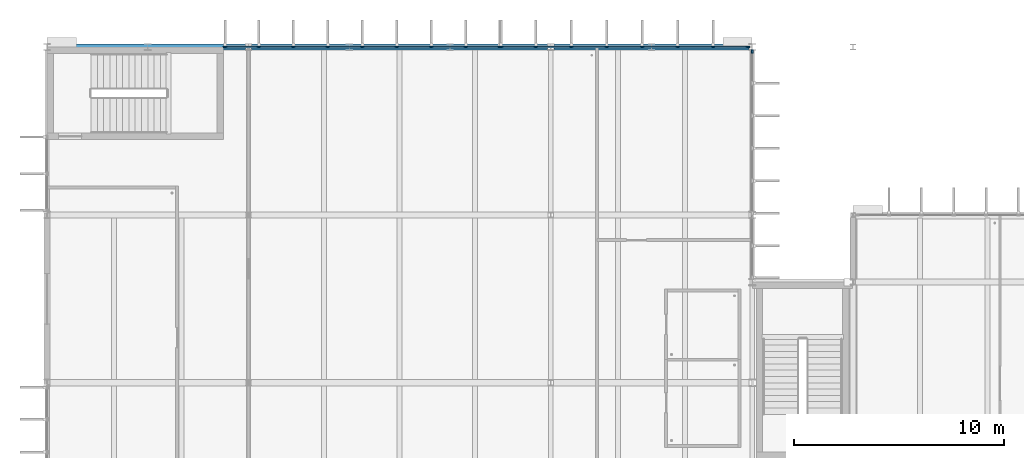
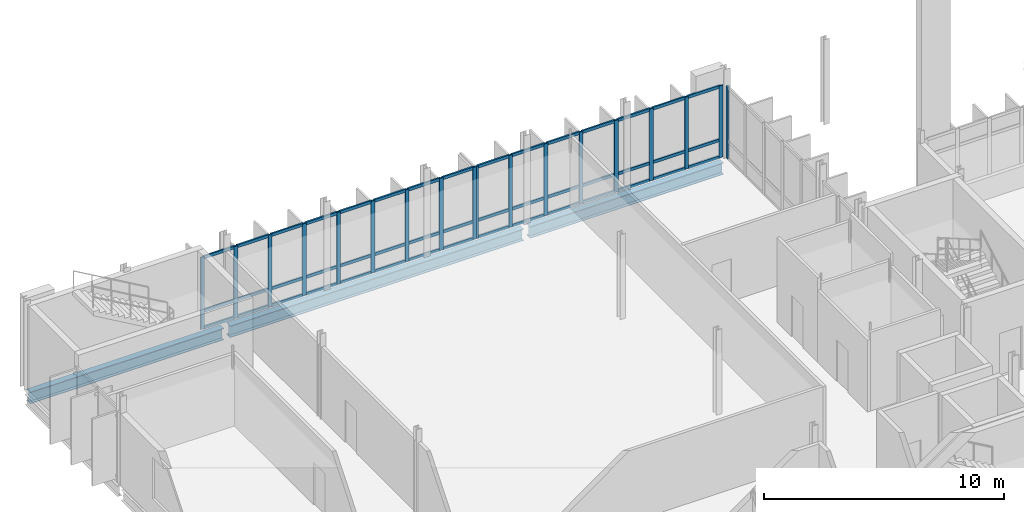
# One storey, part 14 of 41: 63 members, 3 beams, 3 elements without a shape of their own.
"""IFC4 building model written with IfcOpenShell, lengths in metres."""

from ifc_helpers import new_model, si_unit, direction, frame, origin, origin_2d, place, context, subcontext, project, spatial, rectangle, i_section, extrude, material, material_profile, profile_set, type_object, element, aggregate, save


model = new_model("IFC4")

# Units and contexts
model_context = context("Model", 3, precision=1e-05, world=origin(), true_north=direction((0.0, 1.0)))
body_context = subcontext(model_context, "Body", "Model", "MODEL_VIEW")
ifc_project = project(units=[si_unit("LENGTHUNIT", "METRE"), si_unit("AREAUNIT", "SQUARE_METRE"), si_unit("VOLUMEUNIT", "CUBIC_METRE"), si_unit("PLANEANGLEUNIT", "RADIAN"), si_unit("MASSUNIT", "GRAM", prefix="KILO")], contexts=[model_context])

# Site, building, storey
site_placement = place(None, origin())
site = spatial("IfcSite", under=ifc_project, at=site_placement, CompositionType="ELEMENT")
building_placement = place(site_placement, origin())
building = spatial("IfcBuilding", under=site, at=building_placement, Name="Dunescarp Central Library", CompositionType="ELEMENT")
storey_placement = place(building_placement, frame((0.0, 0.0, 23.10009765625)))
storey = spatial("IfcBuildingStorey", under=building, at=storey_placement, Name="L05", CompositionType="ELEMENT", Elevation=23.10009765625)

# Curtain wall, members
ifc_material_1 = material(Name="Marine-grade anodised aluminium 6063-T6", Category="aluminium")
curtain_wall_type = type_object("IfcCurtainWallType", Name="ARC-CW-STICK", PredefinedType="NOTDEFINED", material=ifc_material_1)
curtain_wall_1_placement = place(storey_placement, origin())
curtain_wall_1 = element("IfcCurtainWall", 1, at=curtain_wall_1_placement, inside=storey, type_object=curtain_wall_type, Name="L05 curtain wall CW-V1-033", PredefinedType="NOTDEFINED")
ifc_material_profile_1 = material_profile(ifc_material_1, rectangle(XDim=0.080078125, YDim=0.179931640625, at=origin_2d()), Name="AL 80x180")
ifc_profile_set_1 = profile_set([ifc_material_profile_1], Name="Marine-grade anodised aluminium 6063-T6")
member_type_1 = type_object("IfcMemberType", Name="ARC-CWM-180", PredefinedType="MULLION", material=ifc_profile_set_1)
member_1_placement = place(storey_placement, frame((21.639892578125, 36.800048828125, 0.0), z_axis=(0.0, 0.0, 1.0), x_axis=(0.0, 1.0, 0.0)))
member_1 = element("IfcMember", 2, at=member_1_placement, type_object=member_type_1, Name="CW-V1-033 mullion 1", PredefinedType="MULLION", context=body_context, shape_type="SweptSolid", body=[
    extrude(rectangle(XDim=0.080078125, YDim=0.179931640625, at=origin_2d()), origin(), (0.0, 0.0, 1.0), 3.65283203125),
])
member_2_placement = place(storey_placement, frame((23.289306640625, 36.800048828125, 0.0), z_axis=(0.0, 0.0, 1.0), x_axis=(0.0, 1.0, 0.0)))
member_2 = element("IfcMember", 3, at=member_2_placement, type_object=member_type_1, Name="CW-V1-033 mullion 2", PredefinedType="MULLION", context=body_context, shape_type="SweptSolid", body=[
    extrude(rectangle(XDim=0.080078125, YDim=0.179931640625, at=origin_2d()), origin(), (0.0, 0.0, 1.0), 3.65283203125),
])
member_3_placement = place(storey_placement, frame((24.978515625, 36.800048828125, 0.0), z_axis=(0.0, 0.0, 1.0), x_axis=(0.0, 1.0, 0.0)))
member_3 = element("IfcMember", 4, at=member_3_placement, type_object=member_type_1, Name="CW-V1-033 mullion 3", PredefinedType="MULLION", context=body_context, shape_type="SweptSolid", body=[
    extrude(rectangle(XDim=0.080078125, YDim=0.179931640625, at=origin_2d()), origin(), (0.0, 0.0, 1.0), 3.65283203125),
])
member_4_placement = place(storey_placement, frame((26.66796875, 36.800048828125, 0.0), z_axis=(0.0, 0.0, 1.0), x_axis=(0.0, 1.0, 0.0)))
member_4 = element("IfcMember", 5, at=member_4_placement, type_object=member_type_1, Name="CW-V1-033 mullion 4", PredefinedType="MULLION", context=body_context, shape_type="SweptSolid", body=[
    extrude(rectangle(XDim=0.080078125, YDim=0.179931640625, at=origin_2d()), origin(), (0.0, 0.0, 1.0), 3.65283203125),
])
member_5_placement = place(storey_placement, frame((28.357177734375, 36.800048828125, 0.0), z_axis=(0.0, 0.0, 1.0), x_axis=(0.0, 1.0, 0.0)))
member_5 = element("IfcMember", 6, at=member_5_placement, type_object=member_type_1, Name="CW-V1-033 mullion 5", PredefinedType="MULLION", context=body_context, shape_type="SweptSolid", body=[
    extrude(rectangle(XDim=0.080078125, YDim=0.179931640625, at=origin_2d()), origin(), (0.0, 0.0, 1.0), 3.65283203125),
])
member_6_placement = place(storey_placement, frame((30.04638671875, 36.800048828125, 0.0), z_axis=(0.0, 0.0, 1.0), x_axis=(0.0, 1.0, 0.0)))
member_6 = element("IfcMember", 7, at=member_6_placement, type_object=member_type_1, Name="CW-V1-033 mullion 6", PredefinedType="MULLION", context=body_context, shape_type="SweptSolid", body=[
    extrude(rectangle(XDim=0.080078125, YDim=0.179931640625, at=origin_2d()), origin(), (0.0, 0.0, 1.0), 3.65283203125),
])
member_7_placement = place(storey_placement, frame((31.735595703125, 36.800048828125, 0.0), z_axis=(0.0, 0.0, 1.0), x_axis=(0.0, 1.0, 0.0)))
member_7 = element("IfcMember", 8, at=member_7_placement, type_object=member_type_1, Name="CW-V1-033 mullion 7", PredefinedType="MULLION", context=body_context, shape_type="SweptSolid", body=[
    extrude(rectangle(XDim=0.080078125, YDim=0.179931640625, at=origin_2d()), origin(), (0.0, 0.0, 1.0), 3.65283203125),
])
member_8_placement = place(storey_placement, frame((33.385009765625, 36.800048828125, 0.0), z_axis=(0.0, 0.0, 1.0), x_axis=(0.0, 1.0, 0.0)))
member_8 = element("IfcMember", 9, at=member_8_placement, type_object=member_type_1, Name="CW-V1-033 mullion 8", PredefinedType="MULLION", context=body_context, shape_type="SweptSolid", body=[
    extrude(rectangle(XDim=0.080078125, YDim=0.179931640625, at=origin_2d()), origin(), (0.0, 0.0, 1.0), 3.65283203125),
])

curtain_wall_2_placement = place(storey_placement, origin())
curtain_wall_2 = element("IfcCurtainWall", 10, at=curtain_wall_2_placement, inside=storey, type_object=curtain_wall_type, Name="L05 curtain wall CW-V1-034", PredefinedType="NOTDEFINED")
member_9_placement = place(storey_placement, frame((8.489990234375, 36.800048828125, 0.0), z_axis=(0.0, 0.0, 1.0), x_axis=(0.0, 1.0, 0.0)))
member_9 = element("IfcMember", 11, at=member_9_placement, type_object=member_type_1, Name="CW-V1-034 mullion 1", PredefinedType="MULLION", context=body_context, shape_type="SweptSolid", body=[
    extrude(rectangle(XDim=0.080078125, YDim=0.179931640625, at=origin_2d()), origin(), (0.0, 0.0, 1.0), 3.65283203125),
])
member_10_placement = place(storey_placement, frame((10.09375, 36.800048828125, 0.0), z_axis=(0.0, 0.0, 1.0), x_axis=(0.0, 1.0, 0.0)))
member_10 = element("IfcMember", 12, at=member_10_placement, type_object=member_type_1, Name="CW-V1-034 mullion 2", PredefinedType="MULLION", context=body_context, shape_type="SweptSolid", body=[
    extrude(rectangle(XDim=0.080078125, YDim=0.179931640625, at=origin_2d()), origin(), (0.0, 0.0, 1.0), 3.65283203125),
])
member_11_placement = place(storey_placement, frame((11.737548828125, 36.800048828125, 0.0), z_axis=(0.0, 0.0, 1.0), x_axis=(0.0, 1.0, 0.0)))
member_11 = element("IfcMember", 13, at=member_11_placement, type_object=member_type_1, Name="CW-V1-034 mullion 3", PredefinedType="MULLION", context=body_context, shape_type="SweptSolid", body=[
    extrude(rectangle(XDim=0.080078125, YDim=0.179931640625, at=origin_2d()), origin(), (0.0, 0.0, 1.0), 3.65283203125),
])
member_12_placement = place(storey_placement, frame((13.38134765625, 36.800048828125, 0.0), z_axis=(0.0, 0.0, 1.0), x_axis=(0.0, 1.0, 0.0)))
member_12 = element("IfcMember", 14, at=member_12_placement, type_object=member_type_1, Name="CW-V1-034 mullion 4", PredefinedType="MULLION", context=body_context, shape_type="SweptSolid", body=[
    extrude(rectangle(XDim=0.080078125, YDim=0.179931640625, at=origin_2d()), origin(), (0.0, 0.0, 1.0), 3.65283203125),
])
member_13_placement = place(storey_placement, frame((15.02490234375, 36.800048828125, 0.0), z_axis=(0.0, 0.0, 1.0), x_axis=(0.0, 1.0, 0.0)))
member_13 = element("IfcMember", 15, at=member_13_placement, type_object=member_type_1, Name="CW-V1-034 mullion 5", PredefinedType="MULLION", context=body_context, shape_type="SweptSolid", body=[
    extrude(rectangle(XDim=0.080078125, YDim=0.179931640625, at=origin_2d()), origin(), (0.0, 0.0, 1.0), 3.65283203125),
])
member_14_placement = place(storey_placement, frame((16.668701171875, 36.800048828125, 0.0), z_axis=(0.0, 0.0, 1.0), x_axis=(0.0, 1.0, 0.0)))
member_14 = element("IfcMember", 16, at=member_14_placement, type_object=member_type_1, Name="CW-V1-034 mullion 6", PredefinedType="MULLION", context=body_context, shape_type="SweptSolid", body=[
    extrude(rectangle(XDim=0.080078125, YDim=0.179931640625, at=origin_2d()), origin(), (0.0, 0.0, 1.0), 3.65283203125),
])
member_15_placement = place(storey_placement, frame((18.3125, 36.800048828125, 0.0), z_axis=(0.0, 0.0, 1.0), x_axis=(0.0, 1.0, 0.0)))
member_15 = element("IfcMember", 17, at=member_15_placement, type_object=member_type_1, Name="CW-V1-034 mullion 7", PredefinedType="MULLION", context=body_context, shape_type="SweptSolid", body=[
    extrude(rectangle(XDim=0.080078125, YDim=0.179931640625, at=origin_2d()), origin(), (0.0, 0.0, 1.0), 3.65283203125),
])
member_16_placement = place(storey_placement, frame((19.956298828125, 36.800048828125, 0.0), z_axis=(0.0, 0.0, 1.0), x_axis=(0.0, 1.0, 0.0)))
member_16 = element("IfcMember", 18, at=member_16_placement, type_object=member_type_1, Name="CW-V1-034 mullion 8", PredefinedType="MULLION", context=body_context, shape_type="SweptSolid", body=[
    extrude(rectangle(XDim=0.080078125, YDim=0.179931640625, at=origin_2d()), origin(), (0.0, 0.0, 1.0), 3.65283203125),
])
member_17_placement = place(storey_placement, frame((21.56005859375, 36.800048828125, 0.0), z_axis=(0.0, 0.0, 1.0), x_axis=(0.0, 1.0, 0.0)))
member_17 = element("IfcMember", 19, at=member_17_placement, type_object=member_type_1, Name="CW-V1-034 mullion 9", PredefinedType="MULLION", context=body_context, shape_type="SweptSolid", body=[
    extrude(rectangle(XDim=0.080078125, YDim=0.179931640625, at=origin_2d()), origin(), (0.0, 0.0, 1.0), 3.65283203125),
])

# Curtain wall, member
curtain_wall_3_placement = place(storey_placement, origin())
curtain_wall_3 = element("IfcCurtainWall", 20, at=curtain_wall_3_placement, inside=storey, type_object=curtain_wall_type, Name="L05 curtain wall CW-V1-037", PredefinedType="NOTDEFINED")
member_18_placement = place(storey_placement, frame((33.60009765625, 36.5849609375, 0.0), z_axis=(0.0, 0.0, 1.0), x_axis=(1.0, 0.0, 0.0)))
member_18 = element("IfcMember", 21, at=member_18_placement, type_object=member_type_1, Name="CW-V1-037 mullion 1", PredefinedType="MULLION", context=body_context, shape_type="SweptSolid", body=[
    extrude(rectangle(XDim=0.080078125, YDim=0.179931640625, at=origin_2d()), origin(), (0.0, 0.0, 1.0), 3.65283203125),
])
aggregate(curtain_wall_3, [member_18])

# Member
ifc_material_profile_2 = material_profile(ifc_material_1, rectangle(XDim=0.080078125, YDim=0.14990234375, at=origin_2d()), Name="AL 80x150")
ifc_profile_set_2 = profile_set([ifc_material_profile_2], Name="Marine-grade anodised aluminium 6063-T6")
member_type_2 = type_object("IfcMemberType", Name="ARC-CWT-150", PredefinedType="USERDEFINED", material=ifc_profile_set_2)
member_19_placement = place(storey_placement, frame((21.679931640625, 36.800048828125, 0.039794921875), z_axis=(1.0, 0.0, 0.0), x_axis=(0.0, 1.0, 0.0)))
member_19 = element("IfcMember", 22, at=member_19_placement, type_object=member_type_2, Name="CW-V1-033 transom 1.1", ObjectType="TRANSOM", PredefinedType="USERDEFINED", context=body_context, shape_type="SweptSolid", body=[
    extrude(rectangle(XDim=0.080078125, YDim=0.14990234375, at=origin_2d()), origin(), (0.0, 0.0, 1.0), 1.5693359375),
])

member_20_placement = place(storey_placement, frame((21.679931640625, 36.800048828125, 0.89990234375), z_axis=(1.0, 0.0, 0.0), x_axis=(0.0, 1.0, 0.0)))
member_20 = element("IfcMember", 23, at=member_20_placement, type_object=member_type_2, Name="CW-V1-033 transom 1.2", ObjectType="TRANSOM", PredefinedType="USERDEFINED", context=body_context, shape_type="SweptSolid", body=[
    extrude(rectangle(XDim=0.080078125, YDim=0.14990234375, at=origin_2d()), origin(), (0.0, 0.0, 1.0), 1.5693359375),
])

member_21_placement = place(storey_placement, frame((21.679931640625, 36.800048828125, 3.61279296875), z_axis=(1.0, 0.0, 0.0), x_axis=(0.0, 1.0, 0.0)))
member_21 = element("IfcMember", 24, at=member_21_placement, type_object=member_type_2, Name="CW-V1-033 transom 1.3", ObjectType="TRANSOM", PredefinedType="USERDEFINED", context=body_context, shape_type="SweptSolid", body=[
    extrude(rectangle(XDim=0.080078125, YDim=0.14990234375, at=origin_2d()), origin(), (0.0, 0.0, 1.0), 1.5693359375),
])

member_22_placement = place(storey_placement, frame((23.329345703125, 36.800048828125, 0.039794921875), z_axis=(1.0, 0.0, 0.0), x_axis=(0.0, 1.0, 0.0)))
member_22 = element("IfcMember", 25, at=member_22_placement, type_object=member_type_2, Name="CW-V1-033 transom 2.1", ObjectType="TRANSOM", PredefinedType="USERDEFINED", context=body_context, shape_type="SweptSolid", body=[
    extrude(rectangle(XDim=0.080078125, YDim=0.14990234375, at=origin_2d()), origin(), (0.0, 0.0, 1.0), 1.609130859375),
])

member_23_placement = place(storey_placement, frame((23.329345703125, 36.800048828125, 0.89990234375), z_axis=(1.0, 0.0, 0.0), x_axis=(0.0, 1.0, 0.0)))
member_23 = element("IfcMember", 26, at=member_23_placement, type_object=member_type_2, Name="CW-V1-033 transom 2.2", ObjectType="TRANSOM", PredefinedType="USERDEFINED", context=body_context, shape_type="SweptSolid", body=[
    extrude(rectangle(XDim=0.080078125, YDim=0.14990234375, at=origin_2d()), origin(), (0.0, 0.0, 1.0), 1.609130859375),
])

member_24_placement = place(storey_placement, frame((23.329345703125, 36.800048828125, 3.61279296875), z_axis=(1.0, 0.0, 0.0), x_axis=(0.0, 1.0, 0.0)))
member_24 = element("IfcMember", 27, at=member_24_placement, type_object=member_type_2, Name="CW-V1-033 transom 2.3", ObjectType="TRANSOM", PredefinedType="USERDEFINED", context=body_context, shape_type="SweptSolid", body=[
    extrude(rectangle(XDim=0.080078125, YDim=0.14990234375, at=origin_2d()), origin(), (0.0, 0.0, 1.0), 1.609130859375),
])

member_25_placement = place(storey_placement, frame((25.0185546875, 36.800048828125, 0.039794921875), z_axis=(1.0, 0.0, 0.0), x_axis=(0.0, 1.0, 0.0)))
member_25 = element("IfcMember", 28, at=member_25_placement, type_object=member_type_2, Name="CW-V1-033 transom 3.1", ObjectType="TRANSOM", PredefinedType="USERDEFINED", context=body_context, shape_type="SweptSolid", body=[
    extrude(rectangle(XDim=0.080078125, YDim=0.14990234375, at=origin_2d()), origin(), (0.0, 0.0, 1.0), 1.609375),
])

member_26_placement = place(storey_placement, frame((25.0185546875, 36.800048828125, 0.89990234375), z_axis=(1.0, 0.0, 0.0), x_axis=(0.0, 1.0, 0.0)))
member_26 = element("IfcMember", 29, at=member_26_placement, type_object=member_type_2, Name="CW-V1-033 transom 3.2", ObjectType="TRANSOM", PredefinedType="USERDEFINED", context=body_context, shape_type="SweptSolid", body=[
    extrude(rectangle(XDim=0.080078125, YDim=0.14990234375, at=origin_2d()), origin(), (0.0, 0.0, 1.0), 1.609375),
])

member_27_placement = place(storey_placement, frame((25.0185546875, 36.800048828125, 3.61279296875), z_axis=(1.0, 0.0, 0.0), x_axis=(0.0, 1.0, 0.0)))
member_27 = element("IfcMember", 30, at=member_27_placement, type_object=member_type_2, Name="CW-V1-033 transom 3.3", ObjectType="TRANSOM", PredefinedType="USERDEFINED", context=body_context, shape_type="SweptSolid", body=[
    extrude(rectangle(XDim=0.080078125, YDim=0.14990234375, at=origin_2d()), origin(), (0.0, 0.0, 1.0), 1.609375),
])

member_28_placement = place(storey_placement, frame((26.707763671875, 36.800048828125, 0.039794921875), z_axis=(1.0, 0.0, 0.0), x_axis=(0.0, 1.0, 0.0)))
member_28 = element("IfcMember", 31, at=member_28_placement, type_object=member_type_2, Name="CW-V1-033 transom 4.1", ObjectType="TRANSOM", PredefinedType="USERDEFINED", context=body_context, shape_type="SweptSolid", body=[
    extrude(rectangle(XDim=0.080078125, YDim=0.14990234375, at=origin_2d()), origin(), (0.0, 0.0, 1.0), 1.609375),
])

member_29_placement = place(storey_placement, frame((26.707763671875, 36.800048828125, 0.89990234375), z_axis=(1.0, 0.0, 0.0), x_axis=(0.0, 1.0, 0.0)))
member_29 = element("IfcMember", 32, at=member_29_placement, type_object=member_type_2, Name="CW-V1-033 transom 4.2", ObjectType="TRANSOM", PredefinedType="USERDEFINED", context=body_context, shape_type="SweptSolid", body=[
    extrude(rectangle(XDim=0.080078125, YDim=0.14990234375, at=origin_2d()), origin(), (0.0, 0.0, 1.0), 1.609375),
])

member_30_placement = place(storey_placement, frame((26.707763671875, 36.800048828125, 3.61279296875), z_axis=(1.0, 0.0, 0.0), x_axis=(0.0, 1.0, 0.0)))
member_30 = element("IfcMember", 33, at=member_30_placement, type_object=member_type_2, Name="CW-V1-033 transom 4.3", ObjectType="TRANSOM", PredefinedType="USERDEFINED", context=body_context, shape_type="SweptSolid", body=[
    extrude(rectangle(XDim=0.080078125, YDim=0.14990234375, at=origin_2d()), origin(), (0.0, 0.0, 1.0), 1.609375),
])

member_31_placement = place(storey_placement, frame((28.397216796875, 36.800048828125, 0.039794921875), z_axis=(1.0, 0.0, 0.0), x_axis=(0.0, 1.0, 0.0)))
member_31 = element("IfcMember", 34, at=member_31_placement, type_object=member_type_2, Name="CW-V1-033 transom 5.1", ObjectType="TRANSOM", PredefinedType="USERDEFINED", context=body_context, shape_type="SweptSolid", body=[
    extrude(rectangle(XDim=0.080078125, YDim=0.14990234375, at=origin_2d()), origin(), (0.0, 0.0, 1.0), 1.609130859375),
])

member_32_placement = place(storey_placement, frame((28.397216796875, 36.800048828125, 0.89990234375), z_axis=(1.0, 0.0, 0.0), x_axis=(0.0, 1.0, 0.0)))
member_32 = element("IfcMember", 35, at=member_32_placement, type_object=member_type_2, Name="CW-V1-033 transom 5.2", ObjectType="TRANSOM", PredefinedType="USERDEFINED", context=body_context, shape_type="SweptSolid", body=[
    extrude(rectangle(XDim=0.080078125, YDim=0.14990234375, at=origin_2d()), origin(), (0.0, 0.0, 1.0), 1.609130859375),
])

member_33_placement = place(storey_placement, frame((28.397216796875, 36.800048828125, 3.61279296875), z_axis=(1.0, 0.0, 0.0), x_axis=(0.0, 1.0, 0.0)))
member_33 = element("IfcMember", 36, at=member_33_placement, type_object=member_type_2, Name="CW-V1-033 transom 5.3", ObjectType="TRANSOM", PredefinedType="USERDEFINED", context=body_context, shape_type="SweptSolid", body=[
    extrude(rectangle(XDim=0.080078125, YDim=0.14990234375, at=origin_2d()), origin(), (0.0, 0.0, 1.0), 1.609130859375),
])

member_34_placement = place(storey_placement, frame((30.08642578125, 36.800048828125, 0.039794921875), z_axis=(1.0, 0.0, 0.0), x_axis=(0.0, 1.0, 0.0)))
member_34 = element("IfcMember", 37, at=member_34_placement, type_object=member_type_2, Name="CW-V1-033 transom 6.1", ObjectType="TRANSOM", PredefinedType="USERDEFINED", context=body_context, shape_type="SweptSolid", body=[
    extrude(rectangle(XDim=0.080078125, YDim=0.14990234375, at=origin_2d()), origin(), (0.0, 0.0, 1.0), 1.609375),
])

member_35_placement = place(storey_placement, frame((30.08642578125, 36.800048828125, 0.89990234375), z_axis=(1.0, 0.0, 0.0), x_axis=(0.0, 1.0, 0.0)))
member_35 = element("IfcMember", 38, at=member_35_placement, type_object=member_type_2, Name="CW-V1-033 transom 6.2", ObjectType="TRANSOM", PredefinedType="USERDEFINED", context=body_context, shape_type="SweptSolid", body=[
    extrude(rectangle(XDim=0.080078125, YDim=0.14990234375, at=origin_2d()), origin(), (0.0, 0.0, 1.0), 1.609375),
])

member_36_placement = place(storey_placement, frame((30.08642578125, 36.800048828125, 3.61279296875), z_axis=(1.0, 0.0, 0.0), x_axis=(0.0, 1.0, 0.0)))
member_36 = element("IfcMember", 39, at=member_36_placement, type_object=member_type_2, Name="CW-V1-033 transom 6.3", ObjectType="TRANSOM", PredefinedType="USERDEFINED", context=body_context, shape_type="SweptSolid", body=[
    extrude(rectangle(XDim=0.080078125, YDim=0.14990234375, at=origin_2d()), origin(), (0.0, 0.0, 1.0), 1.609375),
])

member_37_placement = place(storey_placement, frame((31.775634765625, 36.800048828125, 0.039794921875), z_axis=(1.0, 0.0, 0.0), x_axis=(0.0, 1.0, 0.0)))
member_37 = element("IfcMember", 40, at=member_37_placement, type_object=member_type_2, Name="CW-V1-033 transom 7.1", ObjectType="TRANSOM", PredefinedType="USERDEFINED", context=body_context, shape_type="SweptSolid", body=[
    extrude(rectangle(XDim=0.080078125, YDim=0.14990234375, at=origin_2d()), origin(), (0.0, 0.0, 1.0), 1.5693359375),
])

member_38_placement = place(storey_placement, frame((31.775634765625, 36.800048828125, 0.89990234375), z_axis=(1.0, 0.0, 0.0), x_axis=(0.0, 1.0, 0.0)))
member_38 = element("IfcMember", 41, at=member_38_placement, type_object=member_type_2, Name="CW-V1-033 transom 7.2", ObjectType="TRANSOM", PredefinedType="USERDEFINED", context=body_context, shape_type="SweptSolid", body=[
    extrude(rectangle(XDim=0.080078125, YDim=0.14990234375, at=origin_2d()), origin(), (0.0, 0.0, 1.0), 1.5693359375),
])

member_39_placement = place(storey_placement, frame((31.775634765625, 36.800048828125, 3.61279296875), z_axis=(1.0, 0.0, 0.0), x_axis=(0.0, 1.0, 0.0)))
member_39 = element("IfcMember", 42, at=member_39_placement, type_object=member_type_2, Name="CW-V1-033 transom 7.3", ObjectType="TRANSOM", PredefinedType="USERDEFINED", context=body_context, shape_type="SweptSolid", body=[
    extrude(rectangle(XDim=0.080078125, YDim=0.14990234375, at=origin_2d()), origin(), (0.0, 0.0, 1.0), 1.5693359375),
])

aggregate(curtain_wall_1, [member_1, member_2, member_3, member_4, member_5, member_6, member_7, member_8, member_19, member_20, member_21, member_22, member_23, member_24, member_25, member_26, member_27, member_28, member_29, member_30, member_31, member_32, member_33, member_34, member_35, member_36, member_37, member_38, member_39])

member_40_placement = place(storey_placement, frame((8.530029296875, 36.800048828125, 0.039794921875), z_axis=(1.0, 0.0, 0.0), x_axis=(0.0, 1.0, 0.0)))
member_40 = element("IfcMember", 43, at=member_40_placement, type_object=member_type_2, Name="CW-V1-034 transom 1.1", ObjectType="TRANSOM", PredefinedType="USERDEFINED", context=body_context, shape_type="SweptSolid", body=[
    extrude(rectangle(XDim=0.080078125, YDim=0.14990234375, at=origin_2d()), origin(), (0.0, 0.0, 1.0), 1.523681640625),
])

member_41_placement = place(storey_placement, frame((8.530029296875, 36.800048828125, 0.89990234375), z_axis=(1.0, 0.0, 0.0), x_axis=(0.0, 1.0, 0.0)))
member_41 = element("IfcMember", 44, at=member_41_placement, type_object=member_type_2, Name="CW-V1-034 transom 1.2", ObjectType="TRANSOM", PredefinedType="USERDEFINED", context=body_context, shape_type="SweptSolid", body=[
    extrude(rectangle(XDim=0.080078125, YDim=0.14990234375, at=origin_2d()), origin(), (0.0, 0.0, 1.0), 1.523681640625),
])

member_42_placement = place(storey_placement, frame((8.530029296875, 36.800048828125, 3.61279296875), z_axis=(1.0, 0.0, 0.0), x_axis=(0.0, 1.0, 0.0)))
member_42 = element("IfcMember", 45, at=member_42_placement, type_object=member_type_2, Name="CW-V1-034 transom 1.3", ObjectType="TRANSOM", PredefinedType="USERDEFINED", context=body_context, shape_type="SweptSolid", body=[
    extrude(rectangle(XDim=0.080078125, YDim=0.14990234375, at=origin_2d()), origin(), (0.0, 0.0, 1.0), 1.523681640625),
])

member_43_placement = place(storey_placement, frame((10.1337890625, 36.800048828125, 0.039794921875), z_axis=(1.0, 0.0, 0.0), x_axis=(0.0, 1.0, 0.0)))
member_43 = element("IfcMember", 46, at=member_43_placement, type_object=member_type_2, Name="CW-V1-034 transom 2.1", ObjectType="TRANSOM", PredefinedType="USERDEFINED", context=body_context, shape_type="SweptSolid", body=[
    extrude(rectangle(XDim=0.080078125, YDim=0.14990234375, at=origin_2d()), origin(), (0.0, 0.0, 1.0), 1.563720703125),
])

member_44_placement = place(storey_placement, frame((10.1337890625, 36.800048828125, 0.89990234375), z_axis=(1.0, 0.0, 0.0), x_axis=(0.0, 1.0, 0.0)))
member_44 = element("IfcMember", 47, at=member_44_placement, type_object=member_type_2, Name="CW-V1-034 transom 2.2", ObjectType="TRANSOM", PredefinedType="USERDEFINED", context=body_context, shape_type="SweptSolid", body=[
    extrude(rectangle(XDim=0.080078125, YDim=0.14990234375, at=origin_2d()), origin(), (0.0, 0.0, 1.0), 1.563720703125),
])

member_45_placement = place(storey_placement, frame((10.1337890625, 36.800048828125, 3.61279296875), z_axis=(1.0, 0.0, 0.0), x_axis=(0.0, 1.0, 0.0)))
member_45 = element("IfcMember", 48, at=member_45_placement, type_object=member_type_2, Name="CW-V1-034 transom 2.3", ObjectType="TRANSOM", PredefinedType="USERDEFINED", context=body_context, shape_type="SweptSolid", body=[
    extrude(rectangle(XDim=0.080078125, YDim=0.14990234375, at=origin_2d()), origin(), (0.0, 0.0, 1.0), 1.563720703125),
])

member_46_placement = place(storey_placement, frame((11.777587890625, 36.800048828125, 0.039794921875), z_axis=(1.0, 0.0, 0.0), x_axis=(0.0, 1.0, 0.0)))
member_46 = element("IfcMember", 49, at=member_46_placement, type_object=member_type_2, Name="CW-V1-034 transom 3.1", ObjectType="TRANSOM", PredefinedType="USERDEFINED", context=body_context, shape_type="SweptSolid", body=[
    extrude(rectangle(XDim=0.080078125, YDim=0.14990234375, at=origin_2d()), origin(), (0.0, 0.0, 1.0), 1.563720703125),
])

member_47_placement = place(storey_placement, frame((11.777587890625, 36.800048828125, 0.89990234375), z_axis=(1.0, 0.0, 0.0), x_axis=(0.0, 1.0, 0.0)))
member_47 = element("IfcMember", 50, at=member_47_placement, type_object=member_type_2, Name="CW-V1-034 transom 3.2", ObjectType="TRANSOM", PredefinedType="USERDEFINED", context=body_context, shape_type="SweptSolid", body=[
    extrude(rectangle(XDim=0.080078125, YDim=0.14990234375, at=origin_2d()), origin(), (0.0, 0.0, 1.0), 1.563720703125),
])

member_48_placement = place(storey_placement, frame((11.777587890625, 36.800048828125, 3.61279296875), z_axis=(1.0, 0.0, 0.0), x_axis=(0.0, 1.0, 0.0)))
member_48 = element("IfcMember", 51, at=member_48_placement, type_object=member_type_2, Name="CW-V1-034 transom 3.3", ObjectType="TRANSOM", PredefinedType="USERDEFINED", context=body_context, shape_type="SweptSolid", body=[
    extrude(rectangle(XDim=0.080078125, YDim=0.14990234375, at=origin_2d()), origin(), (0.0, 0.0, 1.0), 1.563720703125),
])

member_49_placement = place(storey_placement, frame((13.421142578125, 36.800048828125, 0.039794921875), z_axis=(1.0, 0.0, 0.0), x_axis=(0.0, 1.0, 0.0)))
member_49 = element("IfcMember", 52, at=member_49_placement, type_object=member_type_2, Name="CW-V1-034 transom 4.1", ObjectType="TRANSOM", PredefinedType="USERDEFINED", context=body_context, shape_type="SweptSolid", body=[
    extrude(rectangle(XDim=0.080078125, YDim=0.14990234375, at=origin_2d()), origin(), (0.0, 0.0, 1.0), 1.56396484375),
])

member_50_placement = place(storey_placement, frame((13.421142578125, 36.800048828125, 0.89990234375), z_axis=(1.0, 0.0, 0.0), x_axis=(0.0, 1.0, 0.0)))
member_50 = element("IfcMember", 53, at=member_50_placement, type_object=member_type_2, Name="CW-V1-034 transom 4.2", ObjectType="TRANSOM", PredefinedType="USERDEFINED", context=body_context, shape_type="SweptSolid", body=[
    extrude(rectangle(XDim=0.080078125, YDim=0.14990234375, at=origin_2d()), origin(), (0.0, 0.0, 1.0), 1.56396484375),
])

member_51_placement = place(storey_placement, frame((13.421142578125, 36.800048828125, 3.61279296875), z_axis=(1.0, 0.0, 0.0), x_axis=(0.0, 1.0, 0.0)))
member_51 = element("IfcMember", 54, at=member_51_placement, type_object=member_type_2, Name="CW-V1-034 transom 4.3", ObjectType="TRANSOM", PredefinedType="USERDEFINED", context=body_context, shape_type="SweptSolid", body=[
    extrude(rectangle(XDim=0.080078125, YDim=0.14990234375, at=origin_2d()), origin(), (0.0, 0.0, 1.0), 1.56396484375),
])

member_52_placement = place(storey_placement, frame((15.06494140625, 36.800048828125, 0.039794921875), z_axis=(1.0, 0.0, 0.0), x_axis=(0.0, 1.0, 0.0)))
member_52 = element("IfcMember", 55, at=member_52_placement, type_object=member_type_2, Name="CW-V1-034 transom 5.1", ObjectType="TRANSOM", PredefinedType="USERDEFINED", context=body_context, shape_type="SweptSolid", body=[
    extrude(rectangle(XDim=0.080078125, YDim=0.14990234375, at=origin_2d()), origin(), (0.0, 0.0, 1.0), 1.563720703125),
])

member_53_placement = place(storey_placement, frame((15.06494140625, 36.800048828125, 0.89990234375), z_axis=(1.0, 0.0, 0.0), x_axis=(0.0, 1.0, 0.0)))
member_53 = element("IfcMember", 56, at=member_53_placement, type_object=member_type_2, Name="CW-V1-034 transom 5.2", ObjectType="TRANSOM", PredefinedType="USERDEFINED", context=body_context, shape_type="SweptSolid", body=[
    extrude(rectangle(XDim=0.080078125, YDim=0.14990234375, at=origin_2d()), origin(), (0.0, 0.0, 1.0), 1.563720703125),
])

member_54_placement = place(storey_placement, frame((15.06494140625, 36.800048828125, 3.61279296875), z_axis=(1.0, 0.0, 0.0), x_axis=(0.0, 1.0, 0.0)))
member_54 = element("IfcMember", 57, at=member_54_placement, type_object=member_type_2, Name="CW-V1-034 transom 5.3", ObjectType="TRANSOM", PredefinedType="USERDEFINED", context=body_context, shape_type="SweptSolid", body=[
    extrude(rectangle(XDim=0.080078125, YDim=0.14990234375, at=origin_2d()), origin(), (0.0, 0.0, 1.0), 1.563720703125),
])

member_55_placement = place(storey_placement, frame((16.708740234375, 36.800048828125, 0.039794921875), z_axis=(1.0, 0.0, 0.0), x_axis=(0.0, 1.0, 0.0)))
member_55 = element("IfcMember", 58, at=member_55_placement, type_object=member_type_2, Name="CW-V1-034 transom 6.1", ObjectType="TRANSOM", PredefinedType="USERDEFINED", context=body_context, shape_type="SweptSolid", body=[
    extrude(rectangle(XDim=0.080078125, YDim=0.14990234375, at=origin_2d()), origin(), (0.0, 0.0, 1.0), 1.563720703125),
])

member_56_placement = place(storey_placement, frame((16.708740234375, 36.800048828125, 0.89990234375), z_axis=(1.0, 0.0, 0.0), x_axis=(0.0, 1.0, 0.0)))
member_56 = element("IfcMember", 59, at=member_56_placement, type_object=member_type_2, Name="CW-V1-034 transom 6.2", ObjectType="TRANSOM", PredefinedType="USERDEFINED", context=body_context, shape_type="SweptSolid", body=[
    extrude(rectangle(XDim=0.080078125, YDim=0.14990234375, at=origin_2d()), origin(), (0.0, 0.0, 1.0), 1.563720703125),
])

member_57_placement = place(storey_placement, frame((16.708740234375, 36.800048828125, 3.61279296875), z_axis=(1.0, 0.0, 0.0), x_axis=(0.0, 1.0, 0.0)))
member_57 = element("IfcMember", 60, at=member_57_placement, type_object=member_type_2, Name="CW-V1-034 transom 6.3", ObjectType="TRANSOM", PredefinedType="USERDEFINED", context=body_context, shape_type="SweptSolid", body=[
    extrude(rectangle(XDim=0.080078125, YDim=0.14990234375, at=origin_2d()), origin(), (0.0, 0.0, 1.0), 1.563720703125),
])

member_58_placement = place(storey_placement, frame((18.3525390625, 36.800048828125, 0.039794921875), z_axis=(1.0, 0.0, 0.0), x_axis=(0.0, 1.0, 0.0)))
member_58 = element("IfcMember", 61, at=member_58_placement, type_object=member_type_2, Name="CW-V1-034 transom 7.1", ObjectType="TRANSOM", PredefinedType="USERDEFINED", context=body_context, shape_type="SweptSolid", body=[
    extrude(rectangle(XDim=0.080078125, YDim=0.14990234375, at=origin_2d()), origin(), (0.0, 0.0, 1.0), 1.563720703125),
])

member_59_placement = place(storey_placement, frame((18.3525390625, 36.800048828125, 0.89990234375), z_axis=(1.0, 0.0, 0.0), x_axis=(0.0, 1.0, 0.0)))
member_59 = element("IfcMember", 62, at=member_59_placement, type_object=member_type_2, Name="CW-V1-034 transom 7.2", ObjectType="TRANSOM", PredefinedType="USERDEFINED", context=body_context, shape_type="SweptSolid", body=[
    extrude(rectangle(XDim=0.080078125, YDim=0.14990234375, at=origin_2d()), origin(), (0.0, 0.0, 1.0), 1.563720703125),
])

member_60_placement = place(storey_placement, frame((18.3525390625, 36.800048828125, 3.61279296875), z_axis=(1.0, 0.0, 0.0), x_axis=(0.0, 1.0, 0.0)))
member_60 = element("IfcMember", 63, at=member_60_placement, type_object=member_type_2, Name="CW-V1-034 transom 7.3", ObjectType="TRANSOM", PredefinedType="USERDEFINED", context=body_context, shape_type="SweptSolid", body=[
    extrude(rectangle(XDim=0.080078125, YDim=0.14990234375, at=origin_2d()), origin(), (0.0, 0.0, 1.0), 1.563720703125),
])

member_61_placement = place(storey_placement, frame((19.996337890625, 36.800048828125, 0.039794921875), z_axis=(1.0, 0.0, 0.0), x_axis=(0.0, 1.0, 0.0)))
member_61 = element("IfcMember", 64, at=member_61_placement, type_object=member_type_2, Name="CW-V1-034 transom 8.1", ObjectType="TRANSOM", PredefinedType="USERDEFINED", context=body_context, shape_type="SweptSolid", body=[
    extrude(rectangle(XDim=0.080078125, YDim=0.14990234375, at=origin_2d()), origin(), (0.0, 0.0, 1.0), 1.523681640625),
])

member_62_placement = place(storey_placement, frame((19.996337890625, 36.800048828125, 0.89990234375), z_axis=(1.0, 0.0, 0.0), x_axis=(0.0, 1.0, 0.0)))
member_62 = element("IfcMember", 65, at=member_62_placement, type_object=member_type_2, Name="CW-V1-034 transom 8.2", ObjectType="TRANSOM", PredefinedType="USERDEFINED", context=body_context, shape_type="SweptSolid", body=[
    extrude(rectangle(XDim=0.080078125, YDim=0.14990234375, at=origin_2d()), origin(), (0.0, 0.0, 1.0), 1.523681640625),
])

member_63_placement = place(storey_placement, frame((19.996337890625, 36.800048828125, 3.61279296875), z_axis=(1.0, 0.0, 0.0), x_axis=(0.0, 1.0, 0.0)))
member_63 = element("IfcMember", 66, at=member_63_placement, type_object=member_type_2, Name="CW-V1-034 transom 8.3", ObjectType="TRANSOM", PredefinedType="USERDEFINED", context=body_context, shape_type="SweptSolid", body=[
    extrude(rectangle(XDim=0.080078125, YDim=0.14990234375, at=origin_2d()), origin(), (0.0, 0.0, 1.0), 1.523681640625),
])

aggregate(curtain_wall_2, [member_9, member_10, member_11, member_12, member_13, member_14, member_15, member_16, member_17, member_40, member_41, member_42, member_43, member_44, member_45, member_46, member_47, member_48, member_49, member_50, member_51, member_52, member_53, member_54, member_55, member_56, member_57, member_58, member_59, member_60, member_61, member_62, member_63])

# Beams
ifc_material_2 = material(Name="Steel S355JR", Category="steel")
ifc_material_profile_3 = material_profile(ifc_material_2, i_section(OverallWidth=0.300048828125, OverallDepth=0.590087890625, WebThickness=0.012939453125, FlangeThickness=0.02490234375, at=origin_2d()), Name="HEA 600")
ifc_profile_set_3 = profile_set([ifc_material_profile_3], Name="Steel S355JR")
beam_type = type_object("IfcBeamType", Name="STR-BM-HEA600", PredefinedType="BEAM", material=ifc_profile_set_3)
beam_1_placement = place(storey_placement, frame((0.153076171875, 36.800048828125, -0.51513671875), z_axis=(1.0, 0.0, 0.0), x_axis=(0.0, 1.0, 0.0)))
element("IfcBeam", 67, at=beam_1_placement, inside=storey, type_object=beam_type, Name="L05 girder BM-L05-0237", PredefinedType="BEAM", context=body_context, shape_type="SweptSolid", body=[
    extrude(i_section(OverallWidth=0.300048828125, OverallDepth=0.590087890625, WebThickness=0.012939453125, FlangeThickness=0.02490234375, at=origin_2d()), origin(), (0.0, 0.0, 1.0), 9.2939453125),
])
beam_2_placement = place(storey_placement, frame((9.7529296875, 36.800048828125, -0.51513671875), z_axis=(1.0, 0.0, 0.0), x_axis=(0.0, 1.0, 0.0)))
element("IfcBeam", 68, at=beam_2_placement, inside=storey, type_object=beam_type, Name="L05 girder BM-L05-0256", PredefinedType="BEAM", context=body_context, shape_type="SweptSolid", body=[
    extrude(i_section(OverallWidth=0.300048828125, OverallDepth=0.590087890625, WebThickness=0.012939453125, FlangeThickness=0.02490234375, at=origin_2d()), origin(), (0.0, 0.0, 1.0), 14.093994140625),
])
beam_3_placement = place(storey_placement, frame((24.153076171875, 36.800048828125, -0.51513671875), z_axis=(1.0, 0.0, 0.0), x_axis=(0.0, 1.0, 0.0)))
element("IfcBeam", 69, at=beam_3_placement, inside=storey, type_object=beam_type, Name="L05 girder BM-L05-0272", PredefinedType="BEAM", context=body_context, shape_type="SweptSolid", body=[
    extrude(i_section(OverallWidth=0.300048828125, OverallDepth=0.590087890625, WebThickness=0.012939453125, FlangeThickness=0.02490234375, at=origin_2d()), origin(), (0.0, 0.0, 1.0), 9.2939453125),
])

save(model, "model.ifc")
